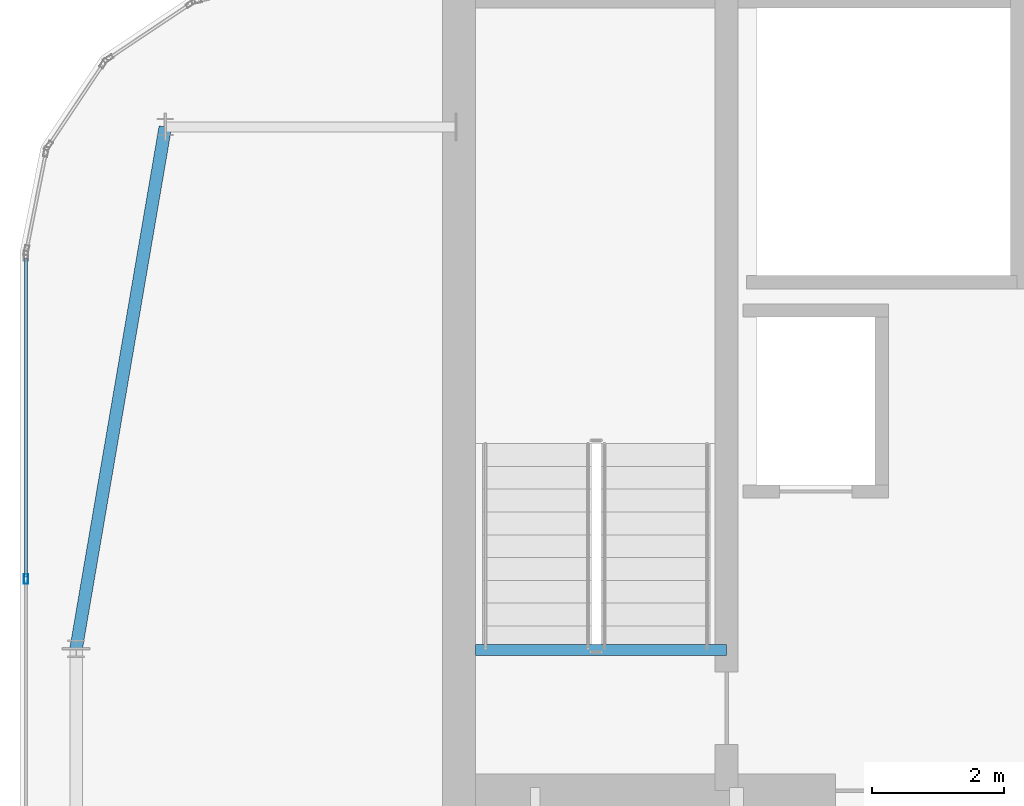
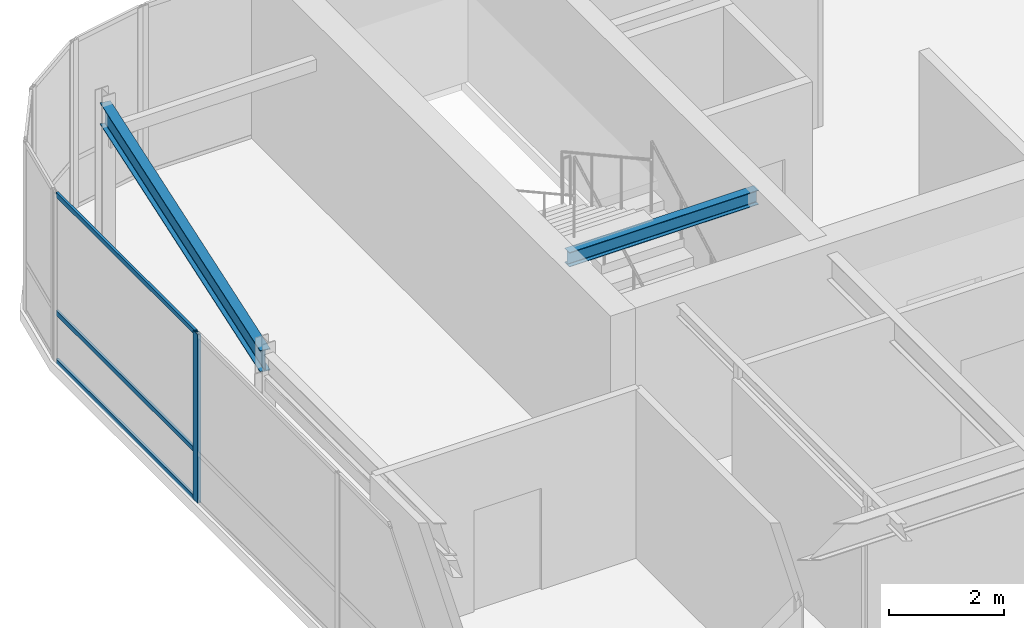
# One storey, part 19 of 36: 4 members, 2 beams, 1 element without a shape of its own.
"""IFC4 building model written with IfcOpenShell, lengths in metres."""

from ifc_helpers import new_model, si_unit, direction, frame, origin, origin_2d, place, context, subcontext, project, spatial, hollow_rectangle, i_section, extrude, source, transform, mapped, material, layer, layer_set, material_profile, profile_set, type_object, type_shapes, element, aggregate, save


model = new_model("IFC4")

# Units and contexts
model_context = context("Model", 3, precision=1e-05, world=origin(), true_north=direction((0.0, 1.0)))
body_context = subcontext(model_context, "Body", "Model", "MODEL_VIEW")
ifc_project = project(units=[si_unit("LENGTHUNIT", "METRE"), si_unit("AREAUNIT", "SQUARE_METRE"), si_unit("VOLUMEUNIT", "CUBIC_METRE"), si_unit("PLANEANGLEUNIT", "RADIAN"), si_unit("MASSUNIT", "GRAM", prefix="KILO")], contexts=[model_context])

# Site, building, storey
site_placement = place(None, origin())
site = spatial("IfcSite", under=ifc_project, at=site_placement, CompositionType="ELEMENT")
building_placement = place(site_placement, origin())
building = spatial("IfcBuilding", under=site, at=building_placement, Name="Tolvann Quenvar Hotel", CompositionType="ELEMENT")
storey_placement = place(building_placement, frame((0.0, 0.0, 298.550048828125)))
storey = spatial("IfcBuildingStorey", under=building, at=storey_placement, Name="L79", CompositionType="ELEMENT", Elevation=298.550048828125)

# Beams
ifc_material_1 = material(Name="Steel Grade 350", Category="steel")
ifc_material_profile_1 = material_profile(ifc_material_1, i_section(OverallWidth=0.166015625, OverallDepth=0.306884765625, WebThickness=0.006591796875, FlangeThickness=0.01171875, FilletRadius=0.011474609375, at=origin_2d()), Name="310UB46")
ifc_profile_set_1 = profile_set([ifc_material_profile_1], Name="Steel Grade 350")
beam_type_1 = type_object("IfcBeamType", Name="BM_JOIST_310UB46", PredefinedType="JOIST", material=ifc_profile_set_1)
shared_shape_1 = source(origin(), body_context, "Body", "SweptSolid", [
    extrude(i_section(OverallWidth=0.166015625, OverallDepth=0.306884765625, WebThickness=0.006591796875, FlangeThickness=0.01171875, FilletRadius=0.011474609375, at=origin_2d()), origin(), (0.0, 0.0, 1.0), 3.800048828125),
])
type_shapes(beam_type_1, [shared_shape_1])
beam_1_placement = place(storey_placement, frame((10.5, 33.97998046875, 3.426513671875), z_axis=(1.0, 0.0, 0.0), x_axis=(0.0, 1.0, 0.0)))
element("IfcBeam", 1, at=beam_1_placement, inside=storey, type_object=beam_type_1, Name="BM-HDR-STC1-L80", PredefinedType="JOIST", context=body_context, shape_type="MappedRepresentation", body=[
    mapped(shared_shape_1, transform((0.0, 0.0, 0.0), x_axis=(1.0, 0.0, 0.0), y_axis=(0.0, 1.0, 0.0), z_axis=(0.0, 0.0, 1.0), scale=1.0)),
])
ifc_material_profile_2 = material_profile(ifc_material_1, i_section(OverallWidth=0.19091796875, OverallDepth=0.4599609375, WebThickness=0.010009765625, FlangeThickness=0.01611328125, FilletRadius=0.011474609375, at=origin_2d()), Name="460UB82")
ifc_profile_set_2 = profile_set([ifc_material_profile_2], Name="Steel Grade 350")
beam_type_2 = type_object("IfcBeamType", Name="BM_SPAND_460UB82", PredefinedType="SPANDREL", material=ifc_profile_set_2)
shared_shape_2 = source(origin(), body_context, "Body", "SweptSolid", [
    extrude(i_section(OverallWidth=0.19091796875, OverallDepth=0.4599609375, WebThickness=0.010009765625, FlangeThickness=0.01611328125, FilletRadius=0.011474609375, at=origin_2d()), origin(), (0.0, 0.0, 1.0), 8.014404296875),
])
type_shapes(beam_type_2, [shared_shape_2])
beam_2_placement = place(storey_placement, frame((4.449951171875, 34.0, 3.349853515625), z_axis=(0.168458176532, 0.985708802213, 0.0), x_axis=(-0.985708802213, 0.168458176532, 0.0)))
element("IfcBeam", 2, at=beam_2_placement, inside=storey, type_object=beam_type_2, Name="BM-L79-FLK-W2", PredefinedType="SPANDREL", context=body_context, shape_type="MappedRepresentation", body=[
    mapped(shared_shape_2, transform((0.0, 0.0, 0.0), x_axis=(1.0, 0.0, 0.0), y_axis=(0.0, 1.0, 0.0), z_axis=(0.0, 0.0, 1.0), scale=1.0)),
])

# Curtain wall, members
ifc_material_2 = material(Name="Thermally broken anodised architectural aluminium 6063-T6 and laminated low-E glass", Category="aluminium")
ifc_layer = layer(ifc_material_2, 0.179931640625)
ifc_layer_set = layer_set([ifc_layer], Name="Thermally broken anodised architectural aluminium 6063-T6 and laminated low-E glass")
curtain_wall_type = type_object("IfcCurtainWallType", Name="CW_SYS_LANT_06", PredefinedType="USERDEFINED", material=ifc_layer_set)
curtain_wall_placement = place(storey_placement, origin())
curtain_wall = element("IfcCurtainWall", 3, at=curtain_wall_placement, inside=storey, type_object=curtain_wall_type, Name="Curtain Wall CW-LANT-06 (CWR-L79-E19)", ObjectType="UNITISED CURTAIN WALL", PredefinedType="USERDEFINED")
ifc_material_3 = material(Name="Anodised architectural aluminium 6063-T6 framing", Category="aluminium")
ifc_material_profile_3 = material_profile(ifc_material_3, hollow_rectangle(XDim=0.050048828125, YDim=0.10009765625, WallThickness=0.0029296875, at=origin_2d()), Name="100x50x3RHS")
ifc_profile_set_3 = profile_set([ifc_material_profile_3], Name="Anodised architectural aluminium 6063-T6 framing")
member_type_1 = type_object("IfcMemberType", Name="CW_TRAN_100x50", PredefinedType="USERDEFINED", material=ifc_profile_set_3)
shared_shape_3 = source(origin(), body_context, "Body", "SweptSolid", [
    extrude(hollow_rectangle(XDim=0.050048828125, YDim=0.10009765625, WallThickness=0.0029296875, at=origin_2d()), origin(), (0.0, 0.0, 1.0), 4.830078125),
])
type_shapes(member_type_1, [shared_shape_3])
member_1_placement = place(storey_placement, frame((3.68994140625, 39.917724609375, 0.02490234375), z_axis=(0.0, -1.0, 0.0), x_axis=(1.0, 0.0, 0.0)))
member_1 = element("IfcMember", 4, at=member_1_placement, type_object=member_type_1, Name="CW-LANT-06 transom 1.1", ObjectType="TRANSOM", PredefinedType="USERDEFINED", context=body_context, shape_type="MappedRepresentation", body=[
    mapped(shared_shape_3, transform((0.0, 0.0, 0.0), x_axis=(1.0, 0.0, 0.0), y_axis=(0.0, 1.0, 0.0), z_axis=(0.0, 0.0, 1.0), scale=1.0)),
])
member_2_placement = place(storey_placement, frame((3.68994140625, 39.917724609375, 1.050048828125), z_axis=(0.0, -1.0, 0.0), x_axis=(1.0, 0.0, 0.0)))
member_2 = element("IfcMember", 5, at=member_2_placement, type_object=member_type_1, Name="CW-LANT-06 transom 1.2", ObjectType="TRANSOM", PredefinedType="USERDEFINED", context=body_context, shape_type="MappedRepresentation", body=[
    mapped(shared_shape_3, transform((0.0, 0.0, 0.0), x_axis=(1.0, 0.0, 0.0), y_axis=(0.0, 1.0, 0.0), z_axis=(0.0, 0.0, 1.0), scale=1.0)),
])
member_3_placement = place(storey_placement, frame((3.68994140625, 39.917724609375, 3.554931640625), z_axis=(0.0, -1.0, 0.0), x_axis=(1.0, 0.0, 0.0)))
member_3 = element("IfcMember", 6, at=member_3_placement, type_object=member_type_1, Name="CW-LANT-06 transom 1.3", ObjectType="TRANSOM", PredefinedType="USERDEFINED", context=body_context, shape_type="MappedRepresentation", body=[
    mapped(shared_shape_3, transform((0.0, 0.0, 0.0), x_axis=(1.0, 0.0, 0.0), y_axis=(0.0, 1.0, 0.0), z_axis=(0.0, 0.0, 1.0), scale=1.0)),
])
ifc_material_profile_4 = material_profile(ifc_material_3, hollow_rectangle(XDim=0.06494140625, YDim=0.14990234375, WallThickness=0.00390625, at=origin_2d()), Name="150x65x4RHS")
ifc_profile_set_4 = profile_set([ifc_material_profile_4], Name="Anodised architectural aluminium 6063-T6 framing")
member_type_2 = type_object("IfcMemberType", Name="CW_MULL_150x65", PredefinedType="MULLION", material=ifc_profile_set_4)
shared_shape_4 = source(origin(), body_context, "Body", "SweptSolid", [
    extrude(hollow_rectangle(XDim=0.06494140625, YDim=0.14990234375, WallThickness=0.00390625, at=origin_2d()), origin(), (0.0, 0.0, 1.0), 3.579833984375),
])
type_shapes(member_type_2, [shared_shape_4])
member_4_placement = place(storey_placement, frame((3.68994140625, 35.05517578125, 0.0), z_axis=(0.0, 0.0, 1.0), x_axis=(1.0, 0.0, 0.0)))
member_4 = element("IfcMember", 7, at=member_4_placement, type_object=member_type_2, Name="CW-LANT-06 mullion 2", PredefinedType="MULLION", context=body_context, shape_type="MappedRepresentation", body=[
    mapped(shared_shape_4, transform((0.0, 0.0, 0.0), x_axis=(1.0, 0.0, 0.0), y_axis=(0.0, 1.0, 0.0), z_axis=(0.0, 0.0, 1.0), scale=1.0)),
])
aggregate(curtain_wall, [member_4, member_1, member_2, member_3])

save(model, "model.ifc")
